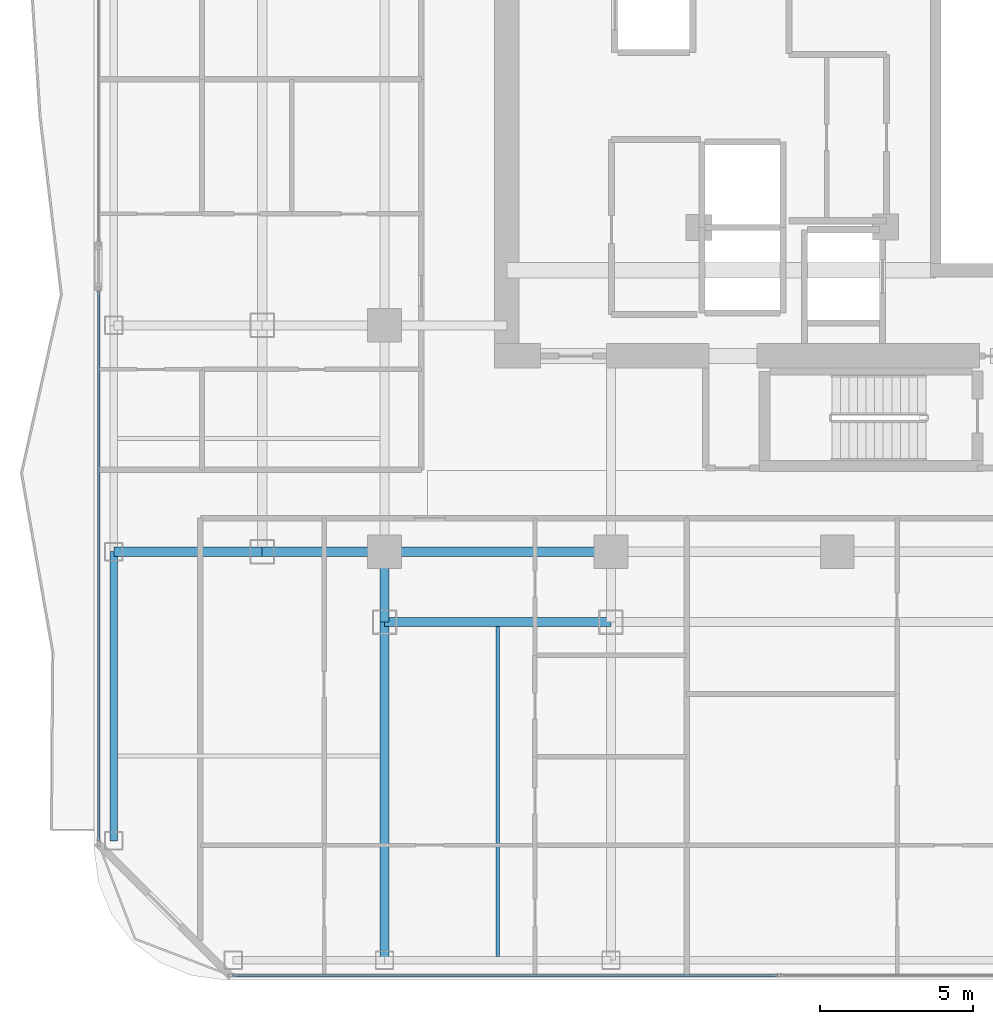
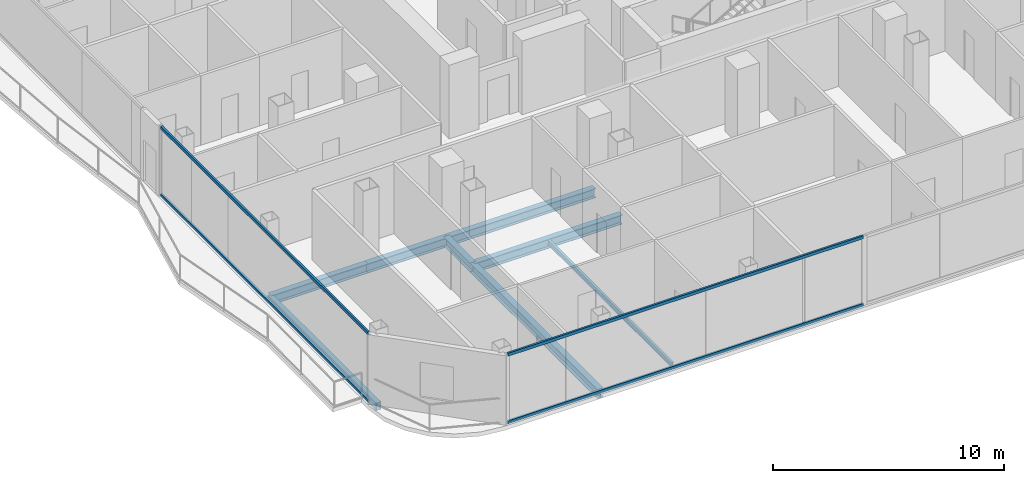
# One storey, part 3 of 23: 8 beams, 4 members, 2 elements without a shape of their own.
"""IFC4 building model written with IfcOpenShell, lengths in metres."""

from ifc_helpers import new_model, si_unit, direction, frame, origin, origin_2d, place, context, subcontext, project, spatial, hollow_rectangle, i_section, extrude, material, layer, layer_set, material_profile, profile_set, type_object, element, aggregate, save


model = new_model("IFC4")

# Units and contexts
model_context = context("Model", 3, precision=1e-05, world=origin(), true_north=direction((0.0, 1.0)))
body_context = subcontext(model_context, "Body", "Model", "MODEL_VIEW")
ifc_project = project(units=[si_unit("LENGTHUNIT", "METRE"), si_unit("AREAUNIT", "SQUARE_METRE"), si_unit("VOLUMEUNIT", "CUBIC_METRE"), si_unit("PLANEANGLEUNIT", "RADIAN"), si_unit("MASSUNIT", "GRAM", prefix="KILO")], contexts=[model_context])

# Site, building, storey
site_placement = place(None, origin())
site = spatial("IfcSite", under=ifc_project, at=site_placement, CompositionType="ELEMENT")
building_placement = place(site_placement, origin())
building = spatial("IfcBuilding", under=site, at=building_placement, Name="Khorvyn Point Tower", CompositionType="ELEMENT")
storey_placement = place(building_placement, frame((0.0, 0.0, 199.199951171875)))
storey = spatial("IfcBuildingStorey", under=building, at=storey_placement, Name="L49", CompositionType="ELEMENT", Elevation=199.199951171875)

# Curtain wall, members
ifc_material_1 = material(Name="Anodised aluminium 6063-T6 and laminated Low-E glass", Category="aluminium")
ifc_layer = layer(ifc_material_1, 0.18994140625)
ifc_layer_set = layer_set([ifc_layer], Name="Stick-Built Acoustic Curtain Wall CW-SYS-03")
curtain_wall_type = type_object("IfcCurtainWallType", Name="Stick-Built Acoustic Curtain Wall CW-SYS-03", PredefinedType="NOTDEFINED", material=ifc_layer_set)
curtain_wall_1_placement = place(storey_placement, origin())
curtain_wall_1 = element("IfcCurtainWall", 1, at=curtain_wall_1_placement, inside=storey, type_object=curtain_wall_type, Name="Curtain Wall", PredefinedType="NOTDEFINED")
ifc_material_2 = material(Name="Anodised aluminium 6063-T6", Category="aluminium")
ifc_material_profile_1 = material_profile(ifc_material_2, hollow_rectangle(XDim=0.10009765625, YDim=0.159912109375, WallThickness=0.00439453125, at=origin_2d()))
ifc_profile_set_1 = profile_set([ifc_material_profile_1], Name="Anodised aluminium 6063-T6 ALU-TRN-100x160")
member_type = type_object("IfcMemberType", Name="Anodised Aluminium 6063-T6 Transom ALU-TRN-100x160", PredefinedType="USERDEFINED", material=ifc_profile_set_1)
member_1_placement = place(storey_placement, frame((-1.949951171875, -28.64990234375, 0.050048828125), z_axis=(-1.0, 0.0, 0.0), x_axis=(0.0, -1.0, 0.0)))
member_1 = element("IfcMember", 2, at=member_1_placement, type_object=member_type, Name="Transom", ObjectType="TRANSOM", PredefinedType="USERDEFINED", context=body_context, shape_type="SweptSolid", body=[
    extrude(hollow_rectangle(XDim=0.10009765625, YDim=0.159912109375, WallThickness=0.00439453125, at=origin_2d()), origin(), (0.0, 0.0, 1.0), 17.800048828125),
])
member_2_placement = place(storey_placement, frame((-1.949951171875, -28.64990234375, 3.630126953125), z_axis=(-1.0, 0.0, 0.0), x_axis=(0.0, -1.0, 0.0)))
member_2 = element("IfcMember", 3, at=member_2_placement, type_object=member_type, Name="Transom", ObjectType="TRANSOM", PredefinedType="USERDEFINED", context=body_context, shape_type="SweptSolid", body=[
    extrude(hollow_rectangle(XDim=0.10009765625, YDim=0.159912109375, WallThickness=0.00439453125, at=origin_2d()), origin(), (0.0, 0.0, 1.0), 17.800048828125),
])
aggregate(curtain_wall_1, [member_1, member_2])

curtain_wall_2_placement = place(storey_placement, origin())
curtain_wall_2 = element("IfcCurtainWall", 4, at=curtain_wall_2_placement, inside=storey, type_object=curtain_wall_type, Name="Curtain Wall", PredefinedType="NOTDEFINED")
member_3_placement = place(storey_placement, frame((-24.14990234375, -24.25, 0.050048828125), z_axis=(0.0, 1.0, 0.0), x_axis=(-1.0, 0.0, 0.0)))
member_3 = element("IfcMember", 5, at=member_3_placement, type_object=member_type, Name="Transom", ObjectType="TRANSOM", PredefinedType="USERDEFINED", context=body_context, shape_type="SweptSolid", body=[
    extrude(hollow_rectangle(XDim=0.10009765625, YDim=0.159912109375, WallThickness=0.00439453125, at=origin_2d()), origin(), (0.0, 0.0, 1.0), 17.966064453125),
])
member_4_placement = place(storey_placement, frame((-24.14990234375, -24.25, 3.630126953125), z_axis=(0.0, 1.0, 0.0), x_axis=(-1.0, 0.0, 0.0)))
member_4 = element("IfcMember", 6, at=member_4_placement, type_object=member_type, Name="Transom", ObjectType="TRANSOM", PredefinedType="USERDEFINED", context=body_context, shape_type="SweptSolid", body=[
    extrude(hollow_rectangle(XDim=0.10009765625, YDim=0.159912109375, WallThickness=0.00439453125, at=origin_2d()), origin(), (0.0, 0.0, 1.0), 17.966064453125),
])
aggregate(curtain_wall_2, [member_3, member_4])

# Beams
ifc_material_3 = material(Name="Steel S355", Category="steel")
ifc_material_profile_2 = material_profile(ifc_material_3, i_section(OverallWidth=0.125, OverallDepth=0.25, WebThickness=0.006103515625, FlangeThickness=0.009033203125, at=origin_2d()))
ifc_profile_set_2 = profile_set([ifc_material_profile_2], Name="Steel S355 H250x125x6x9")
beam_type_1 = type_object("IfcBeamType", Name="Steel S355 Joist H250x125x6x9", PredefinedType="JOIST", material=ifc_profile_set_2)
beam_1_placement = place(storey_placement, frame((-11.10009765625, -28.02490234375, -0.344970703125), z_axis=(0.0, 1.0, 0.0), x_axis=(-1.0, 0.0, 0.0)))
element("IfcBeam", 7, at=beam_1_placement, inside=storey, type_object=beam_type_1, Name="Beam", PredefinedType="JOIST", context=body_context, shape_type="SweptSolid", body=[
    extrude(i_section(OverallWidth=0.125, OverallDepth=0.25, WebThickness=0.006103515625, FlangeThickness=0.009033203125, at=origin_2d()), origin(), (0.0, 0.0, 1.0), 10.77490234375),
])
ifc_material_profile_3 = material_profile(ifc_material_3, i_section(OverallWidth=0.300048828125, OverallDepth=0.488037109375, WebThickness=0.010986328125, FlangeThickness=0.01806640625, at=origin_2d()))
ifc_profile_set_3 = profile_set([ifc_material_profile_3], Name="Steel S355 H488x300x11x18")
beam_type_2 = type_object("IfcBeamType", Name="Steel S355 Spandrel H488x300x11x18", PredefinedType="SPANDREL", material=ifc_profile_set_3)
beam_2_placement = place(storey_placement, frame((-23.64990234375, -14.800048828125, -0.4638671875), z_axis=(1.0, 0.0, 0.0), x_axis=(0.0, 1.0, 0.0)))
element("IfcBeam", 8, at=beam_2_placement, inside=storey, type_object=beam_type_2, Name="Beam", PredefinedType="SPANDREL", context=body_context, shape_type="SweptSolid", body=[
    extrude(i_section(OverallWidth=0.300048828125, OverallDepth=0.488037109375, WebThickness=0.010986328125, FlangeThickness=0.01806640625, at=origin_2d()), origin(), (0.0, 0.0, 1.0), 4.849853515625),
])
beam_3_placement = place(storey_placement, frame((-18.800048828125, -14.800048828125, -0.4638671875), z_axis=(1.0, 0.0, 0.0), x_axis=(0.0, 1.0, 0.0)))
element("IfcBeam", 9, at=beam_3_placement, inside=storey, type_object=beam_type_2, Name="Beam", PredefinedType="SPANDREL", context=body_context, shape_type="SweptSolid", body=[
    extrude(i_section(OverallWidth=0.300048828125, OverallDepth=0.488037109375, WebThickness=0.010986328125, FlangeThickness=0.01806640625, at=origin_2d()), origin(), (0.0, 0.0, 1.0), 4.0),
])
for number, where, z_axis, x_axis, name in (
    (10, (-14.800048828125, -14.800048828125, -0.4638671875), (1.0, 0.0, 0.0), (0.0, 1.0, 0.0), "Beam"),
    (11, (-14.800048828125, -17.10009765625, -0.4638671875), (1.0, 0.0, 0.0), (0.0, 1.0, 0.0), "Beam"),
):
    element("IfcBeam", number, at=place(storey_placement, frame(where, z_axis=z_axis, x_axis=x_axis)), inside=storey, type_object=beam_type_2, Name=name, PredefinedType="SPANDREL", context=body_context, shape_type="SweptSolid", body=[
        extrude(i_section(OverallWidth=0.300048828125, OverallDepth=0.488037109375, WebThickness=0.010986328125, FlangeThickness=0.01806640625, at=origin_2d()), origin(), (0.0, 0.0, 1.0), 7.400146484375),
    ])
beam_4_placement = place(storey_placement, frame((-14.800048828125, -28.14990234375, -0.4638671875), z_axis=(0.0, 1.0, 0.0), x_axis=(-1.0, 0.0, 0.0)))
element("IfcBeam", 12, at=beam_4_placement, inside=storey, type_object=beam_type_2, Name="Beam", PredefinedType="SPANDREL", context=body_context, shape_type="SweptSolid", body=[
    extrude(i_section(OverallWidth=0.300048828125, OverallDepth=0.488037109375, WebThickness=0.010986328125, FlangeThickness=0.01806640625, at=origin_2d()), origin(), (0.0, 0.0, 1.0), 11.0498046875),
])
beam_5_placement = place(storey_placement, frame((-14.800048828125, -17.10009765625, -0.4638671875), z_axis=(0.0, 1.0, 0.0), x_axis=(-1.0, 0.0, 0.0)))
element("IfcBeam", 13, at=beam_5_placement, inside=storey, type_object=beam_type_2, Name="Beam", PredefinedType="SPANDREL", context=body_context, shape_type="SweptSolid", body=[
    extrude(i_section(OverallWidth=0.300048828125, OverallDepth=0.488037109375, WebThickness=0.010986328125, FlangeThickness=0.01806640625, at=origin_2d()), origin(), (0.0, 0.0, 1.0), 2.300048828125),
])
ifc_material_profile_4 = material_profile(ifc_material_3, hollow_rectangle(XDim=0.25, YDim=0.39990234375, WallThickness=0.01611328125, at=origin_2d()))
ifc_profile_set_4 = profile_set([ifc_material_profile_4], Name="Steel S355 RHS400x250x16")
beam_type_3 = type_object("IfcBeamType", Name="Steel S355 Spandrel RHS400x250x16", PredefinedType="SPANDREL", material=ifc_profile_set_4)
beam_6_placement = place(storey_placement, frame((-23.64990234375, -24.25, -0.419921875), z_axis=(0.0, 1.0, 0.0), x_axis=(-1.0, 0.0, 0.0)))
element("IfcBeam", 14, at=beam_6_placement, inside=storey, type_object=beam_type_3, Name="Beam", PredefinedType="SPANDREL", context=body_context, shape_type="SweptSolid", body=[
    extrude(hollow_rectangle(XDim=0.25, YDim=0.39990234375, WallThickness=0.01611328125, at=origin_2d()), origin(), (0.0, 0.0, 1.0), 9.449951171875),
])

save(model, "model.ifc")
